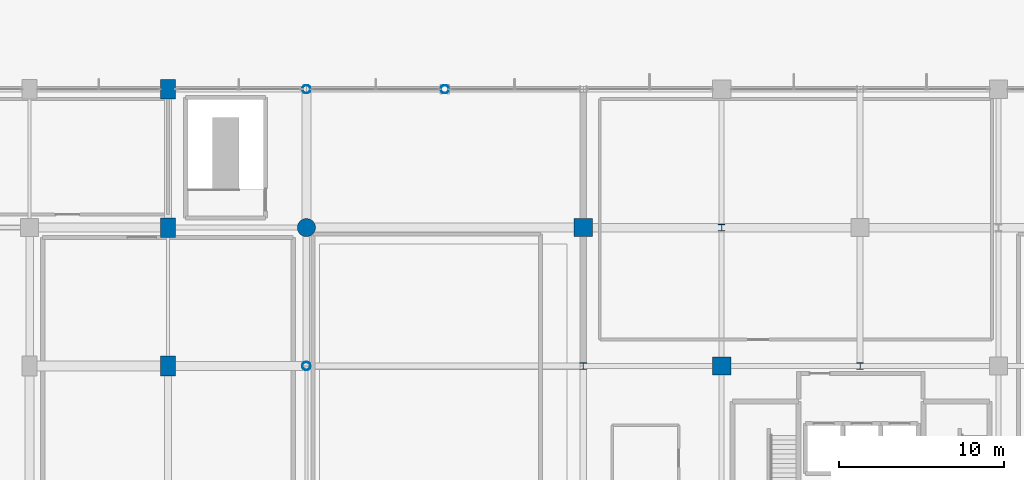
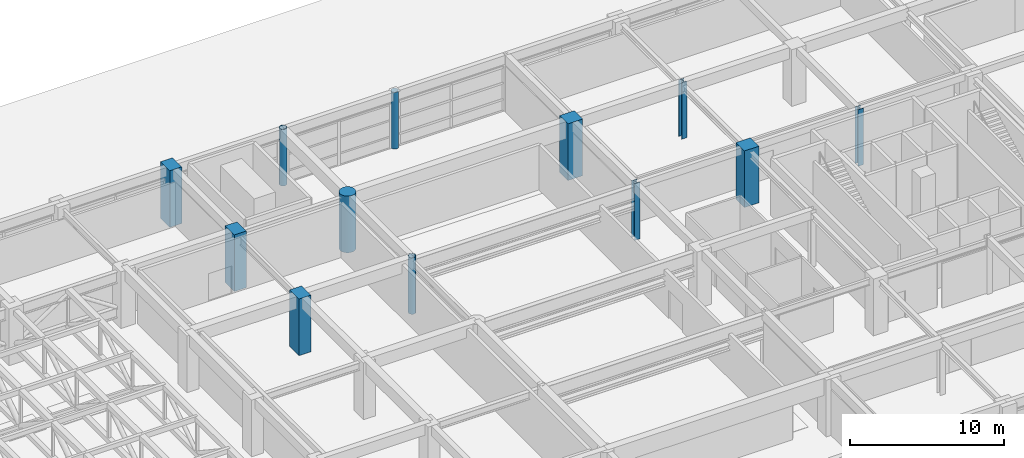
# One storey, part 4 of 47: 12 columns.
"""IFC4 building model written with IfcOpenShell, lengths in metres."""

from ifc_helpers import new_model, si_unit, direction, frame, origin, origin_2d, place, context, subcontext, project, spatial, rectangle, circle, hollow_circle, i_section, extrude, material, material_profile, profile_set, type_object, element, save


model = new_model("IFC4")

# Units and contexts
model_context = context("Model", 3, precision=1e-05, world=origin(), true_north=direction((0.0, 1.0)))
body_context = subcontext(model_context, "Body", "Model", "MODEL_VIEW")
ifc_project = project(units=[si_unit("LENGTHUNIT", "METRE"), si_unit("AREAUNIT", "SQUARE_METRE"), si_unit("VOLUMEUNIT", "CUBIC_METRE"), si_unit("PLANEANGLEUNIT", "RADIAN"), si_unit("MASSUNIT", "GRAM", prefix="KILO")], contexts=[model_context])

# Site, building, storey
site_placement = place(None, origin())
site = spatial("IfcSite", under=ifc_project, at=site_placement, CompositionType="ELEMENT")
building_placement = place(site_placement, origin())
building = spatial("IfcBuilding", under=site, at=building_placement, Name="Xuanlan Plaza Opera House", CompositionType="ELEMENT")
storey_placement = place(building_placement, frame((0.0, 0.0, 23.39990234375)))
storey = spatial("IfcBuildingStorey", under=building, at=storey_placement, Name="L05", CompositionType="ELEMENT", Elevation=23.39990234375)

# Columns
ifc_material_1 = material(Name="Concrete C50", Category="concrete")
ifc_material_profile_1 = material_profile(ifc_material_1, rectangle(XDim=1.10009765625, YDim=1.10009765625, at=origin_2d()), Name="RC-COL 1100x1100")
ifc_profile_set_1 = profile_set([ifc_material_profile_1], Name="Concrete C50")
column_type_1 = type_object("IfcColumnType", Name="STR-COL-C-03", PredefinedType="COLUMN", material=ifc_profile_set_1)
for number, where, z_axis, x_axis, name in (
    (1, (126.0, 75.60009765625, 0.0), (0.0, 0.0, 1.0), (1.0, 0.0, 0.0), "Column L05 16-J"),
    (2, (134.39990234375, 67.199951171875, 0.0), (0.0, 0.0, 1.0), (1.0, 0.0, 0.0), "Column L05 17-I"),
):
    element("IfcColumn", number, at=place(storey_placement, frame(where, z_axis=z_axis, x_axis=x_axis)), inside=storey, type_object=column_type_1, Name=name, PredefinedType="COLUMN", context=body_context, shape_type="SweptSolid", body=[
        extrude(rectangle(XDim=1.10009765625, YDim=1.10009765625, at=origin_2d()), origin(), (0.0, 0.0, 1.0), 4.5),
    ])
ifc_material_profile_2 = material_profile(ifc_material_1, rectangle(XDim=0.89990234375, YDim=1.199951171875, at=origin_2d()), Name="RC-COL 900x1200")
ifc_profile_set_2 = profile_set([ifc_material_profile_2], Name="Concrete C50")
column_type_2 = type_object("IfcColumnType", Name="STR-COL-C-10", PredefinedType="COLUMN", material=ifc_profile_set_2)
for number, where, z_axis, x_axis, name in (
    (3, (100.800048828125, 67.199951171875, 0.0), (0.0, 0.0, 1.0), (1.0, 0.0, 0.0), "Column L05 13-I"),
    (4, (100.800048828125, 75.60009765625, 0.0), (0.0, 0.0, 1.0), (1.0, 0.0, 0.0), "Column L05 13-J"),
    (5, (100.800048828125, 84.0, 0.0), (0.0, 0.0, 1.0), (1.0, 0.0, 0.0), "Column L05 13-K"),
):
    element("IfcColumn", number, at=place(storey_placement, frame(where, z_axis=z_axis, x_axis=x_axis)), inside=storey, type_object=column_type_2, Name=name, PredefinedType="COLUMN", context=body_context, shape_type="SweptSolid", body=[
        extrude(rectangle(XDim=0.89990234375, YDim=1.199951171875, at=origin_2d()), origin(), (0.0, 0.0, 1.0), 4.5),
    ])
ifc_material_profile_3 = material_profile(ifc_material_1, circle(Radius=0.550048828125, at=origin_2d()), Name="RC-COL D1100")
ifc_profile_set_3 = profile_set([ifc_material_profile_3], Name="Concrete C50")
column_type_3 = type_object("IfcColumnType", Name="STR-COL-C-11", PredefinedType="COLUMN", material=ifc_profile_set_3)
column_placement = place(storey_placement, frame((109.199951171875, 75.60009765625, 0.0), z_axis=(0.0, 0.0, 1.0), x_axis=(1.0, 0.0, 0.0)))
element("IfcColumn", 6, at=column_placement, inside=storey, type_object=column_type_3, Name="Column L05 14-J", PredefinedType="COLUMN", context=body_context, shape_type="SweptSolid", body=[
    extrude(circle(Radius=0.550048828125, at=origin_2d()), origin(), (0.0, 0.0, 1.0), 4.5),
])
ifc_material_2 = material(Name="Steel Q355B", Category="steel")
ifc_material_profile_4 = material_profile(ifc_material_2, i_section(OverallWidth=0.39990234375, OverallDepth=0.39990234375, WebThickness=0.012939453125, FlangeThickness=0.02099609375, FilletRadius=0.02197265625, at=origin_2d()), Name="HW 400x400x13x21")
ifc_profile_set_4 = profile_set([ifc_material_profile_4], Name="Steel Q355B")
column_type_4 = type_object("IfcColumnType", Name="STR-COL-C-14", PredefinedType="COLUMN", material=ifc_profile_set_4)
for number, where, z_axis, x_axis, name in (
    (7, (126.0, 67.199951171875, 0.0), (0.0, 0.0, 1.0), (1.0, 0.0, 0.0), "Column L05 16-I"),
    (8, (134.39990234375, 75.60009765625, 0.0), (0.0, 0.0, 1.0), (1.0, 0.0, 0.0), "Column L05 17-J"),
    (9, (142.800048828125, 67.199951171875, 0.0), (0.0, 0.0, 1.0), (1.0, 0.0, 0.0), "Column L05 18-I"),
):
    element("IfcColumn", number, at=place(storey_placement, frame(where, z_axis=z_axis, x_axis=x_axis)), inside=storey, type_object=column_type_4, Name=name, PredefinedType="COLUMN", context=body_context, shape_type="SweptSolid", body=[
        extrude(i_section(OverallWidth=0.39990234375, OverallDepth=0.39990234375, WebThickness=0.012939453125, FlangeThickness=0.02099609375, FilletRadius=0.02197265625, at=origin_2d()), origin(), (0.0, 0.0, 1.0), 4.5),
    ])
ifc_material_profile_5 = material_profile(ifc_material_2, hollow_circle(Radius=0.25390625, WallThickness=0.02001953125, at=origin_2d()), Name="CHS 508x20")
ifc_profile_set_5 = profile_set([ifc_material_profile_5], Name="Steel Q355B")
column_type_5 = type_object("IfcColumnType", Name="STR-COL-C-16", PredefinedType="COLUMN", material=ifc_profile_set_5)
for number, where, z_axis, x_axis, name in (
    (10, (109.199951171875, 67.199951171875, 0.0), (0.0, 0.0, 1.0), (1.0, 0.0, 0.0), "Column L05 14-I"),
    (11, (109.199951171875, 84.0, 0.0), (0.0, 0.0, 1.0), (1.0, 0.0, 0.0), "Column L05 14-K"),
    (12, (117.60009765625, 84.0, 0.0), (0.0, 0.0, 1.0), (1.0, 0.0, 0.0), "Column L05 15-K"),
):
    element("IfcColumn", number, at=place(storey_placement, frame(where, z_axis=z_axis, x_axis=x_axis)), inside=storey, type_object=column_type_5, Name=name, PredefinedType="COLUMN", context=body_context, shape_type="SweptSolid", body=[
        extrude(hollow_circle(Radius=0.25390625, WallThickness=0.02001953125, at=origin_2d()), origin(), (0.0, 0.0, 1.0), 4.5),
    ])

save(model, "model.ifc")
